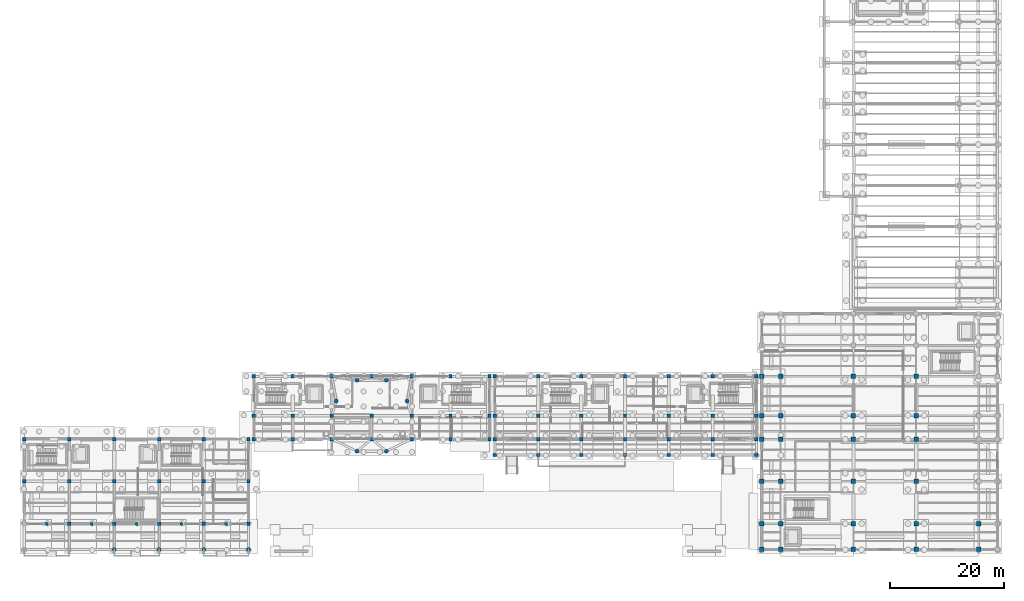
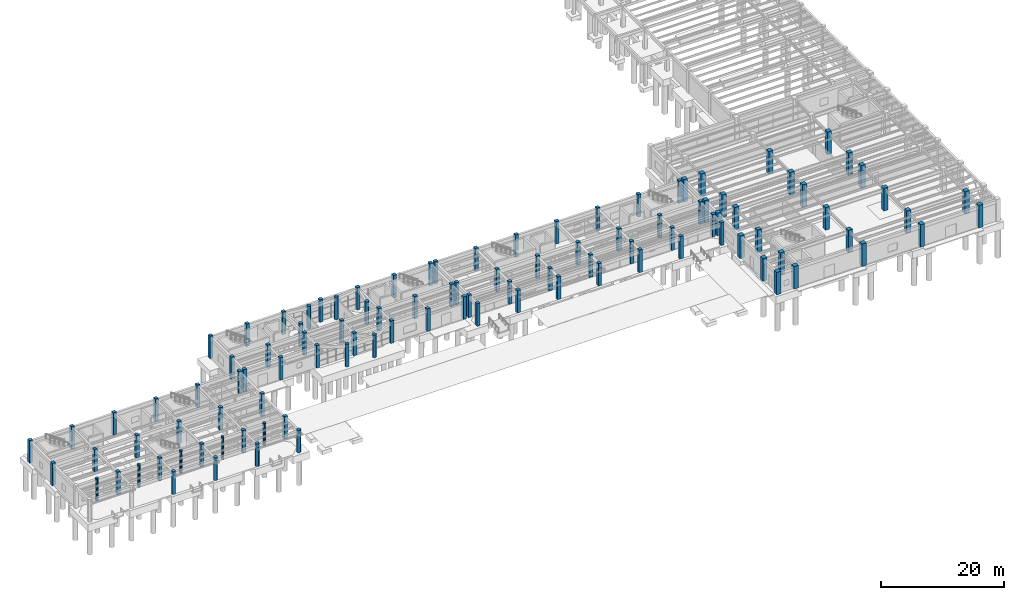
# One storey, part 6 of 41: 107 columns.
"""IFC4 building model written with IfcOpenShell, lengths in metres."""

import ifcopenshell
import ifcopenshell.guid

model = None  # the IFC model being written
_history = None  # IfcOwnerHistory: only IFC2X3 demands one
_inside = {}  # id of a spatial element -> (the spatial element, [elements in it])
_under = {}  # id of a project, library or spatial element -> (it, [spatial elements below it])
_declared = {}  # id of a project -> (the project, [libraries it declares])
_typed = {}  # id of a type object -> (the type object, [elements of that type])
_made_of = {}  # id of a material, layer set ... -> (it, [elements and type objects made of it])


def new_model(schema):
    """Start an empty IFC model of exactly this schema.

    Asked for "IFC4X3", IfcOpenShell would pick the latest addendum, in which some entities
    have other attributes; the version numbers below select the first issue.
    IFC2X3 requires an IfcOwnerHistory on every rooted entity: one is made here for all.
    """
    global model, _history
    if schema == "IFC4X3":
        model = ifcopenshell.file(schema_version=(4, 3, 0, 0))
    else:
        model = ifcopenshell.file(schema=schema)
    _inside.clear()
    _under.clear()
    _declared.clear()
    _typed.clear()
    _made_of.clear()
    _history = None
    if model.schema == "IFC2X3":
        org = make("IfcOrganization", Name="unknown")
        user = make(
            "IfcPersonAndOrganization",
            ThePerson=make("IfcPerson", FamilyName="unknown"),
            TheOrganization=org,
        )
        app = make(
            "IfcApplication",
            ApplicationDeveloper=org,
            Version="unknown",
            ApplicationFullName="unknown",
            ApplicationIdentifier="unknown",
        )
        _history = make(
            "IfcOwnerHistory",
            OwningUser=user,
            OwningApplication=app,
            ChangeAction="ADDED",
            CreationDate=0,
        )
    return model


def make(cls, **values):
    """One entity of the class cls with the attributes given. An attribute that is None is left unset."""
    return model.create_entity(
        cls, **{name: value for name, value in values.items() if value is not None}
    )


def rooted(cls, **values):
    """An entity with a GlobalId (a new one), such as an element, a storey or a relation."""
    return make(cls, GlobalId=ifcopenshell.guid.new(), OwnerHistory=_history, **values)


def si_unit(unit_type, name, prefix=None):
    """IfcSIUnit, for example si_unit("LENGTHUNIT", "METRE", prefix="MILLI")."""
    return make("IfcSIUnit", UnitType=unit_type, Prefix=prefix, Name=name)


def assignment(units):
    """IfcUnitAssignment: the units of a project."""
    return None if units is None else make("IfcUnitAssignment", Units=units)


def point(xyz):
    """IfcCartesianPoint."""
    return None if xyz is None else make("IfcCartesianPoint", Coordinates=xyz)


def direction(xyz):
    """IfcDirection."""
    return None if xyz is None else make("IfcDirection", DirectionRatios=xyz)


def frame(location, z_axis=None, x_axis=None):
    """IfcAxis2Placement3D, a coordinate frame: its origin and axes. An axis left out is left unset."""
    return make(
        "IfcAxis2Placement3D",
        Location=point(location),
        Axis=direction(z_axis),
        RefDirection=direction(x_axis),
    )


def frame_2d(location, x_axis=None):
    """IfcAxis2Placement2D, a coordinate frame in the plane: its origin and x axis."""
    return make(
        "IfcAxis2Placement2D", Location=point(location), RefDirection=direction(x_axis)
    )


def origin():
    """The frame at (0, 0, 0) with its axes left unset."""
    return frame((0.0, 0.0, 0.0))


def origin_2d():
    """The frame at (0, 0) in the plane with its x axis left unset."""
    return frame_2d((0.0, 0.0))


def place(relative_to, where):
    """IfcLocalPlacement: puts the frame where relative to a parent placement (None: the world)."""
    return make(
        "IfcLocalPlacement", PlacementRelTo=relative_to, RelativePlacement=where
    )


def context(
    kind, dimensions, precision=None, world=None, true_north=None, identifier=None
):
    """IfcGeometricRepresentationContext, for example the 3D "Model" context."""
    return make(
        "IfcGeometricRepresentationContext",
        ContextIdentifier=identifier,
        ContextType=kind,
        CoordinateSpaceDimension=dimensions,
        Precision=precision,
        WorldCoordinateSystem=world,
        TrueNorth=true_north,
    )


def subcontext(parent, identifier, kind, view, scale=None):
    """IfcGeometricRepresentationSubContext, for example "Body" below "Model"."""
    return make(
        "IfcGeometricRepresentationSubContext",
        ContextIdentifier=identifier,
        ContextType=kind,
        ParentContext=parent,
        TargetScale=scale,
        TargetView=view,
    )


def project(units=None, contexts=None):
    """IfcProject with its units and contexts."""
    return rooted(
        "IfcProject",
        Name="project",
        RepresentationContexts=contexts,
        UnitsInContext=assignment(units),
    )


def spatial(cls, under=None, at=None, **own):
    """A site, building, storey or space (cls), placed at a placement, below another one or the project."""
    s = rooted(cls, ObjectPlacement=at, **own)
    if under is not None:
        _under.setdefault(under.id(), (under, []))[1].append(s)
    return s


def profile(cls, at=None, kind="AREA", **sizes):
    """A parametric profile (cls). Its sizes go by their IFC names, for example OverallWidth=200.0."""
    return make(cls, ProfileType=kind, Position=at, **sizes)


def rectangle(**sizes):
    """IfcRectangleProfileDef."""
    return profile("IfcRectangleProfileDef", **sizes)


def circle(**sizes):
    """IfcCircleProfileDef."""
    return profile("IfcCircleProfileDef", **sizes)


def extrude(swept, where, along, depth):
    """IfcExtrudedAreaSolid: the profile swept, set in the frame where, extruded along a direction by depth."""
    return make(
        "IfcExtrudedAreaSolid",
        SweptArea=swept,
        Position=where,
        ExtrudedDirection=direction(along),
        Depth=depth,
    )


def shape(context_of_items, identifier, shape_type, items):
    """IfcShapeRepresentation: the items that make up one representation, for example the "Body"."""
    return make(
        "IfcShapeRepresentation",
        ContextOfItems=context_of_items,
        RepresentationIdentifier=identifier,
        RepresentationType=shape_type,
        Items=items,
    )


def material(Name=None, Category=None):
    """IfcMaterial."""
    return make("IfcMaterial", Name=Name, Category=Category)


def material_profile(
    of_material, cross_section, Name=None, Category=None, Priority=None
):
    """IfcMaterialProfile: a cross section and its material."""
    return make(
        "IfcMaterialProfile",
        Name=Name,
        Material=of_material,
        Profile=cross_section,
        Priority=Priority,
        Category=Category,
    )


def profile_set(profiles, Name=None, composite=None):
    """IfcMaterialProfileSet."""
    return make(
        "IfcMaterialProfileSet",
        Name=Name,
        MaterialProfiles=profiles,
        CompositeProfile=composite,
    )


def made_of(thing, what):
    """Note that an element or type object is made of a material, layer set ...; save() writes the relation."""
    if what is not None:
        _made_of.setdefault(what.id(), (what, []))[1].append(thing)
    return thing


def type_object(cls, material=None, **own):
    """A type object (cls), such as IfcWallType, which elements share."""
    return made_of(rooted(cls, **own), material)


def element(
    cls,
    number,
    at=None,
    inside=None,
    cuts=None,
    type_object=None,
    material=None,
    context=None,
    identifier="Body",
    shape_type=None,
    held_by="IfcProductDefinitionShape",
    body=None,
    shapes=None,
    **own,
):
    """One element of the class cls, such as IfcWall. Its Tag is "e" and its number.

    at: its placement. inside: the storey or other place that contains it. cuts: it is an
    opening in that element (IfcRelVoidsElement). A single representation is given by context,
    identifier, shape_type and body (its items); several are given by shapes. held_by: the class
    of the entity that holds the representations. save() writes the other relations.
    """
    e = rooted(cls, Tag="e%d" % number, ObjectPlacement=at, **own)
    if body is not None:
        shapes = [shape(context, identifier, shape_type, body)]
    if shapes is not None:
        e.Representation = make(held_by, Representations=shapes)
    if inside is not None:
        _inside.setdefault(inside.id(), (inside, []))[1].append(e)
    if cuts is not None:
        rooted(
            "IfcRelVoidsElement", RelatingBuildingElement=cuts, RelatedOpeningElement=e
        )
    if type_object is not None:
        _typed.setdefault(type_object.id(), (type_object, []))[1].append(e)
    return made_of(e, material)


def aggregate(whole, parts):
    """IfcRelAggregates: a whole, such as a stair, and the parts it consists of."""
    return rooted("IfcRelAggregates", RelatingObject=whole, RelatedObjects=parts)


def save(model, path):
    """Write the relations noted so far, then the file.

    IfcRelAggregates (storeys below a building ...), IfcRelContainedInSpatialStructure (elements
    in a storey), IfcRelDefinesByType, IfcRelAssociatesMaterial and IfcRelDeclares: one each for
    every whole, place, type object, material and project.
    """
    for whole, parts in _under.values():
        aggregate(whole, parts)
    for where, things in _inside.values():
        rooted(
            "IfcRelContainedInSpatialStructure",
            RelatedElements=things,
            RelatingStructure=where,
        )
    for kind, things in _typed.values():
        rooted("IfcRelDefinesByType", RelatedObjects=things, RelatingType=kind)
    for what, things in _made_of.values():
        rooted("IfcRelAssociatesMaterial", RelatedObjects=things, RelatingMaterial=what)
    for by, libraries in _declared.values():
        rooted("IfcRelDeclares", RelatingContext=by, RelatedDefinitions=libraries)
    model.write(path)


model = new_model("IFC4")

# Units and contexts
model_context = context("Model", 3, precision=1e-05, world=origin(), true_north=direction((0.0, 1.0)))
body_context = subcontext(model_context, "Body", "Model", "MODEL_VIEW")
ifc_project = project(units=[si_unit("LENGTHUNIT", "METRE"), si_unit("AREAUNIT", "SQUARE_METRE"), si_unit("VOLUMEUNIT", "CUBIC_METRE"), si_unit("PLANEANGLEUNIT", "RADIAN"), si_unit("MASSUNIT", "GRAM", prefix="KILO")], contexts=[model_context])

# Site, building, storey
site_placement = place(None, origin())
site = spatial("IfcSite", under=ifc_project, at=site_placement, CompositionType="ELEMENT")
building_placement = place(site_placement, origin())
building = spatial("IfcBuilding", under=site, at=building_placement, Name="Candilejo Ridge Gondola Terminal", CompositionType="ELEMENT")
storey_placement = place(building_placement, origin())
storey = spatial("IfcBuildingStorey", under=building, at=storey_placement, Name="L00", CompositionType="ELEMENT", Elevation=0.0)

# Columns
ifc_material_1 = material(Name="Concrete f'c 35 MPa (C35/45)", Category="concrete")
ifc_material_profile_1 = material_profile(ifc_material_1, circle(Radius=0.27490234375, at=origin_2d()))
ifc_profile_set_1 = profile_set([ifc_material_profile_1], Name="Concrete f'c 35 MPa (C35/45)")
column_type_1 = type_object("IfcColumnType", Name="ARC-PIL-RCD550", PredefinedType="PILASTER", material=ifc_profile_set_1)
for number, where, z_axis, x_axis, name in (
    (1, (8.25, 10.800048828125, 0.0), (0.0, 0.0, 1.0), (1.0, 0.0, 0.0), "Arcade pilaster L00-01"),
    (2, (16.14990234375, 10.800048828125, 0.0), (0.0, 0.0, 1.0), (1.0, 0.0, 0.0), "Arcade pilaster L00-02"),
    (3, (24.050048828125, 10.800048828125, 0.0), (0.0, 0.0, 1.0), (1.0, 0.0, 0.0), "Arcade pilaster L00-03"),
    (4, (31.919921875, 10.800048828125, 0.0), (0.0, 0.0, 1.0), (1.0, 0.0, 0.0), "Arcade pilaster L00-04"),
    (5, (39.780029296875, 10.800048828125, 0.0), (0.0, 0.0, 1.0), (1.0, 0.0, 0.0), "Arcade pilaster L00-05"),
):
    element("IfcColumn", number, at=place(storey_placement, frame(where, z_axis=z_axis, x_axis=x_axis)), inside=storey, type_object=column_type_1, Name=name, PredefinedType="PILASTER", context=body_context, shape_type="SweptSolid", body=[
        extrude(circle(Radius=0.27490234375, at=origin_2d()), origin(), (0.0, 0.0, 1.0), 4.5),
    ])
ifc_material_2 = material(Name="Concrete f'c 35 MPa (C35/45)", Category="concrete")
ifc_material_profile_2 = material_profile(ifc_material_2, rectangle(XDim=0.60009765625, YDim=0.60009765625, at=origin_2d()))
ifc_profile_set_2 = profile_set([ifc_material_profile_2], Name="Concrete f'c 35 MPa (C35/45)")
column_type_2 = type_object("IfcColumnType", Name="STR-COL-RC600", PredefinedType="COLUMN", material=ifc_profile_set_2)
for number, where, z_axis, x_axis, name in (
    (6, (4.300048828125, 18.25, 0.0), (0.0, 0.0, 1.0), (1.0, 0.0, 0.0), "Column V1 L00 X01-Y03"),
    (7, (4.300048828125, 25.699951171875, 0.0), (0.0, 0.0, 1.0), (1.0, 0.0, 0.0), "Column V1 L00 X01-Y05"),
    (8, (12.199951171875, 10.800048828125, 0.0), (0.0, 0.0, 1.0), (1.0, 0.0, 0.0), "Column V1 L00 X02-Y02"),
    (9, (12.199951171875, 18.25, 0.0), (0.0, 0.0, 1.0), (1.0, 0.0, 0.0), "Column V1 L00 X02-Y03"),
    (10, (12.199951171875, 25.699951171875, 0.0), (0.0, 0.0, 1.0), (1.0, 0.0, 0.0), "Column V1 L00 X02-Y05"),
    (11, (20.10009765625, 10.800048828125, 0.0), (0.0, 0.0, 1.0), (1.0, 0.0, 0.0), "Column V1 L00 X03-Y02"),
    (12, (20.10009765625, 18.25, 0.0), (0.0, 0.0, 1.0), (1.0, 0.0, 0.0), "Column V1 L00 X03-Y03"),
    (13, (20.10009765625, 25.699951171875, 0.0), (0.0, 0.0, 1.0), (1.0, 0.0, 0.0), "Column V1 L00 X03-Y05"),
    (14, (28.0, 10.800048828125, 0.0), (0.0, 0.0, 1.0), (1.0, 0.0, 0.0), "Column V1 L00 X04-Y02"),
    (15, (28.0, 18.25, 0.0), (0.0, 0.0, 1.0), (1.0, 0.0, 0.0), "Column V1 L00 X04-Y03"),
    (16, (28.0, 25.699951171875, 0.0), (0.0, 0.0, 1.0), (1.0, 0.0, 0.0), "Column V1 L00 X04-Y05"),
    (17, (35.85009765625, 10.800048828125, 0.0), (0.0, 0.0, 1.0), (1.0, 0.0, 0.0), "Column V1 L00 X05-Y02"),
    (18, (35.85009765625, 18.25, 0.0), (0.0, 0.0, 1.0), (1.0, 0.0, 0.0), "Column V1 L00 X05-Y03"),
    (19, (35.85009765625, 25.699951171875, 0.0), (0.0, 0.0, 1.0), (1.0, 0.0, 0.0), "Column V1 L00 X05-Y05"),
    (20, (43.699951171875, 10.800048828125, 0.0), (0.0, 0.0, 1.0), (1.0, 0.0, 0.0), "Column V1 L00 X06-Y02"),
    (21, (43.699951171875, 18.25, 0.0), (0.0, 0.0, 1.0), (1.0, 0.0, 0.0), "Column V1 L00 X06-Y03"),
    (22, (43.699951171875, 25.699951171875, 0.0), (0.0, 0.0, 1.0), (1.0, 0.0, 0.0), "Column V1 L00 X06-Y05"),
    (23, (44.64990234375, 25.699951171875, 0.0), (0.0, 0.0, 1.0), (1.0, 0.0, 0.0), "Column V2 L00 X07-Y05"),
    (24, (44.64990234375, 29.800048828125, 0.0), (0.0, 0.0, 1.0), (1.0, 0.0, 0.0), "Column V2 L00 X07-Y06"),
    (25, (44.64990234375, 36.699951171875, 0.0), (0.0, 0.0, 1.0), (1.0, 0.0, 0.0), "Column V2 L00 X07-Y07"),
    (26, (51.5, 25.699951171875, 0.0), (0.0, 0.0, 1.0), (1.0, 0.0, 0.0), "Column V2 L00 X08-Y05"),
    (27, (51.5, 29.800048828125, 0.0), (0.0, 0.0, 1.0), (1.0, 0.0, 0.0), "Column V2 L00 X08-Y06"),
    (28, (51.5, 36.699951171875, 0.0), (0.0, 0.0, 1.0), (1.0, 0.0, 0.0), "Column V2 L00 X08-Y07"),
    (29, (58.35009765625, 25.699951171875, 0.0), (0.0, 0.0, 1.0), (1.0, 0.0, 0.0), "Column V2 L00 X09-Y05"),
    (30, (58.35009765625, 29.800048828125, 0.0), (0.0, 0.0, 1.0), (1.0, 0.0, 0.0), "Column V2 L00 X09-Y06"),
    (31, (58.35009765625, 36.699951171875, 0.0), (0.0, 0.0, 1.0), (1.0, 0.0, 0.0), "Column V2 L00 X09-Y07"),
    (32, (65.35009765625, 25.699951171875, 0.0), (0.0, 0.0, 1.0), (1.0, 0.0, 0.0), "Column V2 L00 X10-Y05"),
    (33, (65.35009765625, 29.800048828125, 0.0), (0.0, 0.0, 1.0), (1.0, 0.0, 0.0), "Column V2 L00 X10-Y06"),
    (34, (65.35009765625, 36.699951171875, 0.0), (0.0, 0.0, 1.0), (1.0, 0.0, 0.0), "Column V2 L00 X10-Y07"),
    (35, (72.35009765625, 25.699951171875, 0.0), (0.0, 0.0, 1.0), (1.0, 0.0, 0.0), "Column V2 L00 X11-Y05"),
    (36, (72.35009765625, 29.800048828125, 0.0), (0.0, 0.0, 1.0), (1.0, 0.0, 0.0), "Column V2 L00 X11-Y06"),
    (37, (72.35009765625, 36.699951171875, 0.0), (0.0, 0.0, 1.0), (1.0, 0.0, 0.0), "Column V2 L00 X11-Y07"),
    (38, (79.199951171875, 25.699951171875, 0.0), (0.0, 0.0, 1.0), (1.0, 0.0, 0.0), "Column V2 L00 X12-Y05"),
    (39, (79.199951171875, 29.800048828125, 0.0), (0.0, 0.0, 1.0), (1.0, 0.0, 0.0), "Column V2 L00 X12-Y06"),
    (40, (79.199951171875, 36.699951171875, 0.0), (0.0, 0.0, 1.0), (1.0, 0.0, 0.0), "Column V2 L00 X12-Y07"),
    (41, (86.050048828125, 25.699951171875, 0.0), (0.0, 0.0, 1.0), (1.0, 0.0, 0.0), "Column V2 L00 X13-Y05"),
    (42, (86.050048828125, 29.800048828125, 0.0), (0.0, 0.0, 1.0), (1.0, 0.0, 0.0), "Column V2 L00 X13-Y06"),
    (43, (86.050048828125, 36.699951171875, 0.0), (0.0, 0.0, 1.0), (1.0, 0.0, 0.0), "Column V2 L00 X13-Y07"),
    (44, (87.0, 22.89990234375, 0.0), (0.0, 0.0, 1.0), (1.0, 0.0, 0.0), "Column V3 L00 X14-Y04"),
    (45, (87.0, 25.699951171875, 0.0), (0.0, 0.0, 1.0), (1.0, 0.0, 0.0), "Column V3 L00 X14-Y05"),
    (46, (87.0, 29.800048828125, 0.0), (0.0, 0.0, 1.0), (1.0, 0.0, 0.0), "Column V3 L00 X14-Y06"),
    (47, (87.0, 36.699951171875, 0.0), (0.0, 0.0, 1.0), (1.0, 0.0, 0.0), "Column V3 L00 X14-Y07"),
    (48, (94.60009765625, 22.89990234375, 0.0), (0.0, 0.0, 1.0), (1.0, 0.0, 0.0), "Column V3 L00 X15-Y04"),
    (49, (94.60009765625, 25.699951171875, 0.0), (0.0, 0.0, 1.0), (1.0, 0.0, 0.0), "Column V3 L00 X15-Y05"),
    (50, (94.60009765625, 29.800048828125, 0.0), (0.0, 0.0, 1.0), (1.0, 0.0, 0.0), "Column V3 L00 X15-Y06"),
    (51, (94.60009765625, 36.699951171875, 0.0), (0.0, 0.0, 1.0), (1.0, 0.0, 0.0), "Column V3 L00 X15-Y07"),
    (52, (102.199951171875, 22.89990234375, 0.0), (0.0, 0.0, 1.0), (1.0, 0.0, 0.0), "Column V3 L00 X16-Y04"),
    (53, (102.199951171875, 25.699951171875, 0.0), (0.0, 0.0, 1.0), (1.0, 0.0, 0.0), "Column V3 L00 X16-Y05"),
    (54, (102.199951171875, 29.800048828125, 0.0), (0.0, 0.0, 1.0), (1.0, 0.0, 0.0), "Column V3 L00 X16-Y06"),
    (55, (102.199951171875, 36.699951171875, 0.0), (0.0, 0.0, 1.0), (1.0, 0.0, 0.0), "Column V3 L00 X16-Y07"),
    (56, (109.85009765625, 22.89990234375, 0.0), (0.0, 0.0, 1.0), (1.0, 0.0, 0.0), "Column V3 L00 X17-Y04"),
    (57, (109.85009765625, 25.699951171875, 0.0), (0.0, 0.0, 1.0), (1.0, 0.0, 0.0), "Column V3 L00 X17-Y05"),
    (58, (109.85009765625, 29.800048828125, 0.0), (0.0, 0.0, 1.0), (1.0, 0.0, 0.0), "Column V3 L00 X17-Y06"),
    (59, (109.85009765625, 36.699951171875, 0.0), (0.0, 0.0, 1.0), (1.0, 0.0, 0.0), "Column V3 L00 X17-Y07"),
    (60, (117.550048828125, 22.89990234375, 0.0), (0.0, 0.0, 1.0), (1.0, 0.0, 0.0), "Column V3 L00 X18-Y04"),
    (61, (117.550048828125, 25.699951171875, 0.0), (0.0, 0.0, 1.0), (1.0, 0.0, 0.0), "Column V3 L00 X18-Y05"),
    (62, (117.550048828125, 29.800048828125, 0.0), (0.0, 0.0, 1.0), (1.0, 0.0, 0.0), "Column V3 L00 X18-Y06"),
    (63, (117.550048828125, 36.699951171875, 0.0), (0.0, 0.0, 1.0), (1.0, 0.0, 0.0), "Column V3 L00 X18-Y07"),
    (64, (125.25, 22.89990234375, 0.0), (0.0, 0.0, 1.0), (1.0, 0.0, 0.0), "Column V3 L00 X19-Y04"),
    (65, (125.25, 25.699951171875, 0.0), (0.0, 0.0, 1.0), (1.0, 0.0, 0.0), "Column V3 L00 X19-Y05"),
    (66, (125.25, 29.800048828125, 0.0), (0.0, 0.0, 1.0), (1.0, 0.0, 0.0), "Column V3 L00 X19-Y06"),
    (67, (125.25, 36.699951171875, 0.0), (0.0, 0.0, 1.0), (1.0, 0.0, 0.0), "Column V3 L00 X19-Y07"),
    (68, (132.949951171875, 22.89990234375, 0.0), (0.0, 0.0, 1.0), (1.0, 0.0, 0.0), "Column V3 L00 X20-Y04"),
    (69, (132.949951171875, 25.699951171875, 0.0), (0.0, 0.0, 1.0), (1.0, 0.0, 0.0), "Column V3 L00 X20-Y05"),
    (70, (132.949951171875, 29.800048828125, 0.0), (0.0, 0.0, 1.0), (1.0, 0.0, 0.0), "Column V3 L00 X20-Y06"),
    (71, (132.949951171875, 36.699951171875, 0.0), (0.0, 0.0, 1.0), (1.0, 0.0, 0.0), "Column V3 L00 X20-Y07"),
):
    element("IfcColumn", number, at=place(storey_placement, frame(where, z_axis=z_axis, x_axis=x_axis)), inside=storey, type_object=column_type_2, Name=name, PredefinedType="COLUMN", context=body_context, shape_type="SweptSolid", body=[
        extrude(rectangle(XDim=0.60009765625, YDim=0.60009765625, at=origin_2d()), origin(), (0.0, 0.0, 1.0), 4.5),
    ])
ifc_material_3 = material(Name="Concrete f'c 35 MPa (C35/45)", Category="concrete")
ifc_material_profile_3 = material_profile(ifc_material_3, rectangle(XDim=0.800048828125, YDim=0.800048828125, at=origin_2d()))
ifc_profile_set_3 = profile_set([ifc_material_profile_3], Name="Concrete f'c 35 MPa (C35/45)")
column_type_3 = type_object("IfcColumnType", Name="STR-COL-RC800", PredefinedType="COLUMN", material=ifc_profile_set_3)
for number, where, z_axis, x_axis, name in (
    (72, (133.89990234375, 6.300048828125, 0.0), (0.0, 0.0, 1.0), (1.0, 0.0, 0.0), "Column V4 L00 X21-Y01"),
    (73, (133.89990234375, 10.800048828125, 0.0), (0.0, 0.0, 1.0), (1.0, 0.0, 0.0), "Column V4 L00 X21-Y02"),
    (74, (133.89990234375, 18.25, 0.0), (0.0, 0.0, 1.0), (1.0, 0.0, 0.0), "Column V4 L00 X21-Y03"),
    (75, (133.89990234375, 25.699951171875, 0.0), (0.0, 0.0, 1.0), (1.0, 0.0, 0.0), "Column V4 L00 X21-Y05"),
    (76, (133.89990234375, 29.800048828125, 0.0), (0.0, 0.0, 1.0), (1.0, 0.0, 0.0), "Column V4 L00 X21-Y06"),
    (77, (133.89990234375, 36.699951171875, 0.0), (0.0, 0.0, 1.0), (1.0, 0.0, 0.0), "Column V4 L00 X21-Y07"),
    (78, (137.199951171875, 6.300048828125, 0.0), (0.0, 0.0, 1.0), (1.0, 0.0, 0.0), "Column V4 L00 X22-Y01"),
    (79, (137.199951171875, 10.800048828125, 0.0), (0.0, 0.0, 1.0), (1.0, 0.0, 0.0), "Column V4 L00 X22-Y02"),
    (80, (137.199951171875, 18.25, 0.0), (0.0, 0.0, 1.0), (1.0, 0.0, 0.0), "Column V4 L00 X22-Y03"),
    (81, (137.199951171875, 25.699951171875, 0.0), (0.0, 0.0, 1.0), (1.0, 0.0, 0.0), "Column V4 L00 X22-Y05"),
    (82, (137.199951171875, 29.800048828125, 0.0), (0.0, 0.0, 1.0), (1.0, 0.0, 0.0), "Column V4 L00 X22-Y06"),
    (83, (137.199951171875, 36.699951171875, 0.0), (0.0, 0.0, 1.0), (1.0, 0.0, 0.0), "Column V4 L00 X22-Y07"),
    (84, (150.0, 6.300048828125, 0.0), (0.0, 0.0, 1.0), (1.0, 0.0, 0.0), "Column V4 L00 X23-Y01"),
    (85, (150.0, 10.800048828125, 0.0), (0.0, 0.0, 1.0), (1.0, 0.0, 0.0), "Column V4 L00 X23-Y02"),
    (86, (150.0, 18.25, 0.0), (0.0, 0.0, 1.0), (1.0, 0.0, 0.0), "Column V4 L00 X23-Y03"),
    (87, (150.0, 25.699951171875, 0.0), (0.0, 0.0, 1.0), (1.0, 0.0, 0.0), "Column V4 L00 X23-Y05"),
    (88, (150.0, 29.800048828125, 0.0), (0.0, 0.0, 1.0), (1.0, 0.0, 0.0), "Column V4 L00 X23-Y06"),
    (89, (150.0, 36.699951171875, 0.0), (0.0, 0.0, 1.0), (1.0, 0.0, 0.0), "Column V4 L00 X23-Y07"),
    (90, (161.0, 6.300048828125, 0.0), (0.0, 0.0, 1.0), (1.0, 0.0, 0.0), "Column V4 L00 X24-Y01"),
    (91, (161.0, 10.800048828125, 0.0), (0.0, 0.0, 1.0), (1.0, 0.0, 0.0), "Column V4 L00 X24-Y02"),
    (92, (161.0, 18.25, 0.0), (0.0, 0.0, 1.0), (1.0, 0.0, 0.0), "Column V4 L00 X24-Y03"),
    (93, (161.0, 25.699951171875, 0.0), (0.0, 0.0, 1.0), (1.0, 0.0, 0.0), "Column V4 L00 X24-Y05"),
    (94, (161.0, 29.800048828125, 0.0), (0.0, 0.0, 1.0), (1.0, 0.0, 0.0), "Column V4 L00 X24-Y06"),
    (95, (161.0, 36.699951171875, 0.0), (0.0, 0.0, 1.0), (1.0, 0.0, 0.0), "Column V4 L00 X24-Y07"),
    (96, (172.0, 6.300048828125, 0.0), (0.0, 0.0, 1.0), (1.0, 0.0, 0.0), "Column V4 L00 X26-Y01"),
    (97, (172.0, 10.800048828125, 0.0), (0.0, 0.0, 1.0), (1.0, 0.0, 0.0), "Column V4 L00 X26-Y02"),
):
    element("IfcColumn", number, at=place(storey_placement, frame(where, z_axis=z_axis, x_axis=x_axis)), inside=storey, type_object=column_type_3, Name=name, PredefinedType="COLUMN", context=body_context, shape_type="SweptSolid", body=[
        extrude(rectangle(XDim=0.800048828125, YDim=0.800048828125, at=origin_2d()), origin(), (0.0, 0.0, 1.0), 4.5),
    ])
ifc_material_4 = material(Name="Concrete f'c 35 MPa (C35/45)", Category="concrete")
ifc_material_profile_4 = material_profile(ifc_material_4, circle(Radius=0.35009765625, at=origin_2d()))
ifc_profile_set_4 = profile_set([ifc_material_profile_4], Name="Concrete f'c 35 MPa (C35/45)")
column_type_4 = type_object("IfcColumnType", Name="STR-COL-RCD700", PredefinedType="COLUMN", material=ifc_profile_set_4)
for number, where, z_axis, x_axis, name in (
    (98, (20.10009765625, 6.300048828125, 0.0), (0.0, 0.0, 1.0), (1.0, 0.0, 0.0), "Column V1 L00 X03-Y01"),
    (99, (28.0, 6.300048828125, 0.0), (0.0, 0.0, 1.0), (1.0, 0.0, 0.0), "Column V1 L00 X04-Y01"),
    (100, (35.85009765625, 6.300048828125, 0.0), (0.0, 0.0, 1.0), (1.0, 0.0, 0.0), "Column V1 L00 X05-Y01"),
    (101, (43.699951171875, 6.300048828125, 0.0), (0.0, 0.0, 1.0), (1.0, 0.0, 0.0), "Column V1 L00 X06-Y01"),
    (102, (71.586181640625, 32.383056640625, 0.0), (0.0, 0.0, 1.0), (1.0, 0.0, 0.0), "Column V2 L00 ROT1-OCT"),
    (103, (67.93310546875, 36.0361328125, 0.0), (0.0, 0.0, 1.0), (1.0, 0.0, 0.0), "Column V2 L00 ROT2-OCT"),
    (104, (62.766845703125, 36.0361328125, 0.0), (0.0, 0.0, 1.0), (1.0, 0.0, 0.0), "Column V2 L00 ROT3-OCT"),
    (105, (59.11376953125, 32.383056640625, 0.0), (0.0, 0.0, 1.0), (1.0, 0.0, 0.0), "Column V2 L00 ROT4-OCT"),
    (106, (62.766845703125, 23.563720703125, 0.0), (0.0, 0.0, 1.0), (1.0, 0.0, 0.0), "Column V2 L00 ROT6-OCT"),
    (107, (67.93310546875, 23.563720703125, 0.0), (0.0, 0.0, 1.0), (1.0, 0.0, 0.0), "Column V2 L00 ROT7-OCT"),
):
    element("IfcColumn", number, at=place(storey_placement, frame(where, z_axis=z_axis, x_axis=x_axis)), inside=storey, type_object=column_type_4, Name=name, PredefinedType="COLUMN", context=body_context, shape_type="SweptSolid", body=[
        extrude(circle(Radius=0.35009765625, at=origin_2d()), origin(), (0.0, 0.0, 1.0), 4.5),
    ])

save(model, "model.ifc")
